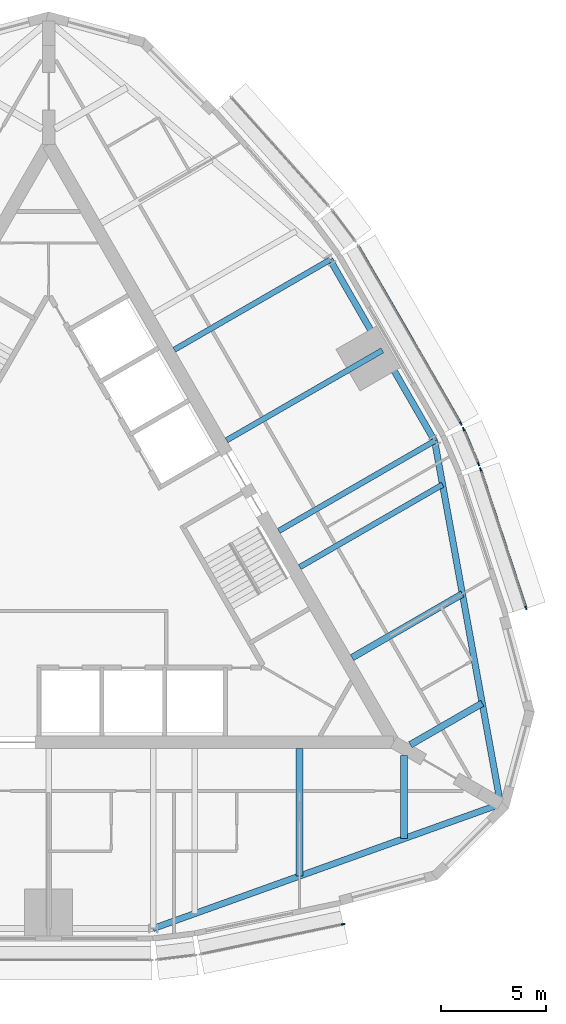
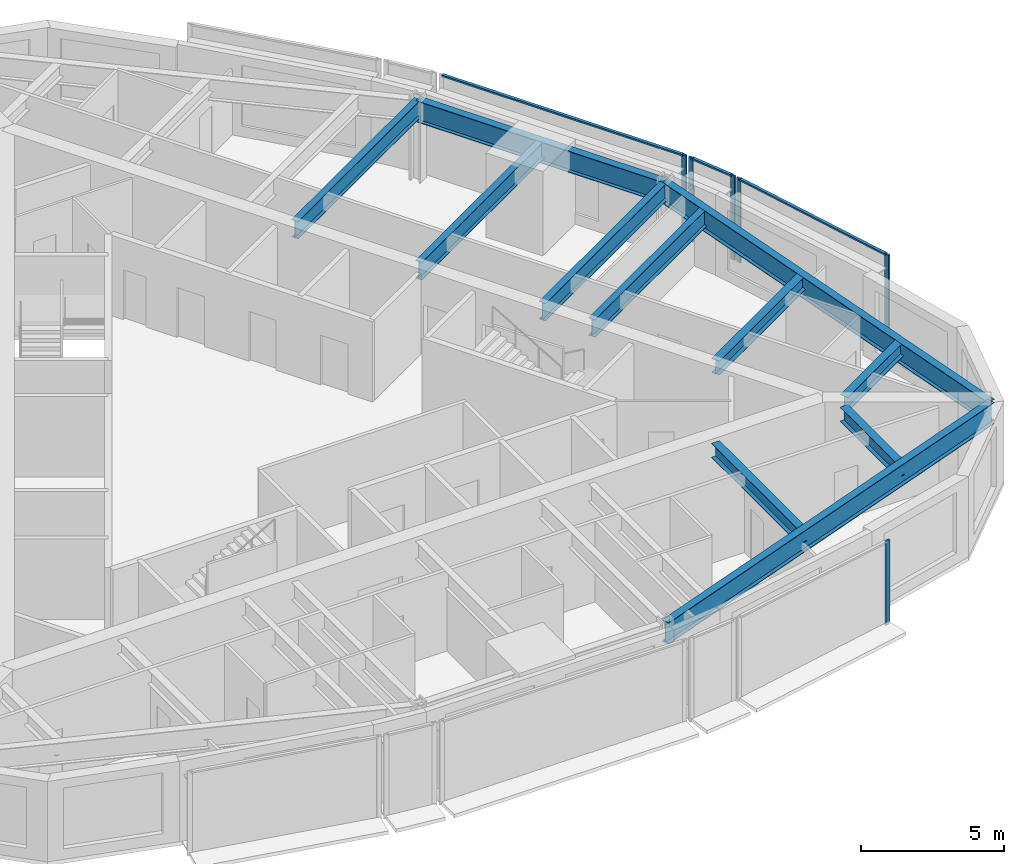
# One storey, part 4 of 12: 11 beams, 9 members, 4 elements without a shape of their own.
"""IFC4 building model written with IfcOpenShell, lengths in metres."""

from ifc_helpers import new_model, si_unit, direction, frame, origin, origin_2d, place, context, subcontext, project, spatial, rectangle, i_section, extrude, material, material_profile, profile_set, type_object, element, aggregate, save


model = new_model("IFC4")

# Units and contexts
model_context = context("Model", 3, precision=1e-05, world=origin(), true_north=direction((0.0, 1.0)))
body_context = subcontext(model_context, "Body", "Model", "MODEL_VIEW")
ifc_project = project(units=[si_unit("LENGTHUNIT", "METRE"), si_unit("AREAUNIT", "SQUARE_METRE"), si_unit("VOLUMEUNIT", "CUBIC_METRE"), si_unit("PLANEANGLEUNIT", "RADIAN"), si_unit("MASSUNIT", "GRAM", prefix="KILO")], contexts=[model_context])

# Site, building, storey
site_placement = place(None, origin())
site = spatial("IfcSite", under=ifc_project, at=site_placement, CompositionType="ELEMENT")
building_placement = place(site_placement, origin())
building = spatial("IfcBuilding", under=site, at=building_placement, Name="Trikona Tower", CompositionType="ELEMENT")
storey_placement = place(building_placement, frame((0.0, 0.0, 260.89990234375)))
storey = spatial("IfcBuildingStorey", under=building, at=storey_placement, Name="L69", CompositionType="ELEMENT", Elevation=260.89990234375)

# Curtain wall, member
ifc_material_1 = material(Name="Aluminium curtain wall system", Category="aluminium")
curtain_wall_type = type_object("IfcCurtainWallType", Name="Curtain wall DS3", PredefinedType="NOTDEFINED", material=ifc_material_1)
curtain_wall_1_placement = place(storey_placement, origin())
curtain_wall_1 = element("IfcCurtainWall", 1, at=curtain_wall_1_placement, inside=storey, type_object=curtain_wall_type, Name="Curtain wall DS3 L69", PredefinedType="NOTDEFINED")
ifc_material_2 = material(Name="Aluminium mullion, pale anodised", Category="aluminium")
ifc_material_profile_1 = material_profile(ifc_material_2, rectangle(XDim=0.070068359375, YDim=0.179931640625, at=origin_2d()), Name="MUL-DS3")
ifc_profile_set_1 = profile_set([ifc_material_profile_1], Name="Aluminium mullion, pale anodised")
member_type_1 = type_object("IfcMemberType", Name="Mullion DS3 70x180", PredefinedType="MULLION", material=ifc_profile_set_1)
member_1_placement = place(storey_placement, frame((14.092041015625, -18.220703125, 0.0), z_axis=(0.0, 0.0, 1.0), x_axis=(-0.205527448396, 0.978651351583, 0.0)))
member_1 = element("IfcMember", 2, at=member_1_placement, type_object=member_type_1, Name="CW-DS3 mullion 2", PredefinedType="MULLION", context=body_context, shape_type="SweptSolid", body=[
    extrude(rectangle(XDim=0.070068359375, YDim=0.179931640625, at=origin_2d()), origin(), (0.0, 0.0, 1.0), 3.60009765625),
])
aggregate(curtain_wall_1, [member_1])

# Curtain wall, members
curtain_wall_2_placement = place(storey_placement, origin())
curtain_wall_2 = element("IfcCurtainWall", 3, at=curtain_wall_2_placement, inside=storey, type_object=curtain_wall_type, Name="Curtain wall DS3 L69", PredefinedType="NOTDEFINED")
member_2_placement = place(storey_placement, frame((22.82568359375, -3.09375, 0.0), z_axis=(0.0, 0.0, 1.0), x_axis=(-0.95029742275, -0.311343553515, 0.0)))
member_2 = element("IfcMember", 4, at=member_2_placement, type_object=member_type_1, Name="CW-DS3 mullion 1", PredefinedType="MULLION", context=body_context, shape_type="SweptSolid", body=[
    extrude(rectangle(XDim=0.070068359375, YDim=0.179931640625, at=origin_2d()), origin(), (0.0, 0.0, 1.0), 3.60009765625),
])
member_3_placement = place(storey_placement, frame((20.657958984375, 3.52294921875, 0.0), z_axis=(0.0, 0.0, 1.0), x_axis=(-0.95029742275, -0.311343553515, 0.0)))
member_3 = element("IfcMember", 5, at=member_3_placement, type_object=member_type_1, Name="CW-DS3 mullion 2", PredefinedType="MULLION", context=body_context, shape_type="SweptSolid", body=[
    extrude(rectangle(XDim=0.070068359375, YDim=0.179931640625, at=origin_2d()), origin(), (0.0, 0.0, 1.0), 3.60009765625),
])

curtain_wall_3_placement = place(storey_placement, origin())
curtain_wall_3 = element("IfcCurtainWall", 6, at=curtain_wall_3_placement, inside=storey, type_object=curtain_wall_type, Name="Curtain wall DS3 L69", PredefinedType="NOTDEFINED")
member_4_placement = place(storey_placement, frame((20.563232421875, 3.7744140625, 0.0), z_axis=(0.0, 0.0, 1.0), x_axis=(-0.919420580163, -0.393275726143, 0.0)))
member_4 = element("IfcMember", 7, at=member_4_placement, type_object=member_type_1, Name="CW-DS3 mullion 1", PredefinedType="MULLION", context=body_context, shape_type="SweptSolid", body=[
    extrude(rectangle(XDim=0.070068359375, YDim=0.179931640625, at=origin_2d()), origin(), (0.0, 0.0, 1.0), 3.60009765625),
])
member_5_placement = place(storey_placement, frame((19.845703125, 5.45166015625, 0.0), z_axis=(0.0, 0.0, 1.0), x_axis=(-0.919420580163, -0.393275726143, 0.0)))
member_5 = element("IfcMember", 8, at=member_5_placement, type_object=member_type_1, Name="CW-DS3 mullion 2", PredefinedType="MULLION", context=body_context, shape_type="SweptSolid", body=[
    extrude(rectangle(XDim=0.070068359375, YDim=0.179931640625, at=origin_2d()), origin(), (0.0, 0.0, 1.0), 3.60009765625),
])

# Curtain wall, member
curtain_wall_4_placement = place(storey_placement, origin())
curtain_wall_4 = element("IfcCurtainWall", 9, at=curtain_wall_4_placement, inside=storey, type_object=curtain_wall_type, Name="Curtain wall DS3 L69", PredefinedType="NOTDEFINED")
member_6_placement = place(storey_placement, frame((19.712890625, 5.717529296875, 0.0), z_axis=(0.0, 0.0, 1.0), x_axis=(-0.866024619633, -0.500001358187, 0.0)))
member_6 = element("IfcMember", 10, at=member_6_placement, type_object=member_type_1, Name="CW-DS3 mullion 1", PredefinedType="MULLION", context=body_context, shape_type="SweptSolid", body=[
    extrude(rectangle(XDim=0.070068359375, YDim=0.179931640625, at=origin_2d()), origin(), (0.0, 0.0, 1.0), 3.60009765625),
])

# Beams
ifc_material_3 = material(Name="Steel ASTM A992 Grade 50", Category="steel")
ifc_material_profile_2 = material_profile(ifc_material_3, i_section(OverallWidth=0.3251953125, OverallDepth=0.612060546875, WebThickness=0.0126953125, FlangeThickness=0.01904296875, at=origin_2d()), Name="W24X104")
ifc_profile_set_2 = profile_set([ifc_material_profile_2], Name="Steel ASTM A992 Grade 50")
beam_type_1 = type_object("IfcBeamType", Name="Steel beam W24x104 (wedge upper)", PredefinedType="BEAM", material=ifc_profile_set_2)
beam_1_placement = place(storey_placement, frame((12.0, -9.826416015625, 3.12890625), z_axis=(0.0, -1.0, 0.0), x_axis=(1.0, 0.0, 0.0)))
element("IfcBeam", 11, at=beam_1_placement, inside=storey, type_object=beam_type_1, Name="Floor beam L70 F1 u12", PredefinedType="BEAM", context=body_context, shape_type="SweptSolid", body=[
    extrude(i_section(OverallWidth=0.3251953125, OverallDepth=0.612060546875, WebThickness=0.0126953125, FlangeThickness=0.01904296875, at=origin_2d()), origin(), (0.0, 0.0, 1.0), 6.094970703125),
])
for number, where, z_axis, x_axis, name in (
    (12, (17.0, -10.161376953125, 3.12890625), (0.0, -1.0, 0.0), (1.0, 0.0, 0.0), "Floor beam L70 F1 u17"),
    (13, (17.300048828125, -9.6416015625, 3.12890625), (0.866030866614, 0.499990537983, 0.0), (-0.499990537983, 0.866030866614, 0.0), "Floor beam L70 F2 u-17"),
):
    element("IfcBeam", number, at=place(storey_placement, frame(where, z_axis=z_axis, x_axis=x_axis)), inside=storey, type_object=beam_type_1, Name=name, PredefinedType="BEAM", context=body_context, shape_type="SweptSolid", body=[
        extrude(i_section(OverallWidth=0.3251953125, OverallDepth=0.612060546875, WebThickness=0.0126953125, FlangeThickness=0.01904296875, at=origin_2d()), origin(), (0.0, 0.0, 1.0), 3.9677734375),
    ])
beam_2_placement = place(storey_placement, frame((14.509765625, -5.479248046875, 3.12890625), z_axis=(0.866023498866, 0.500003299401, 0.0), x_axis=(-0.500003299401, 0.866023498866, 0.0)))
element("IfcBeam", 14, at=beam_2_placement, inside=storey, type_object=beam_type_1, Name="Floor beam L70 F2 u-12", PredefinedType="BEAM", context=body_context, shape_type="SweptSolid", body=[
    extrude(i_section(OverallWidth=0.3251953125, OverallDepth=0.612060546875, WebThickness=0.0126953125, FlangeThickness=0.01904296875, at=origin_2d()), origin(), (0.0, 0.0, 1.0), 6.09521484375),
])
ifc_material_4 = material(Name="Steel ASTM A992 Grade 50", Category="steel")
ifc_material_profile_3 = material_profile(ifc_material_4, i_section(OverallWidth=0.2666015625, OverallDepth=0.7568359375, WebThickness=0.013916015625, FlangeThickness=0.019287109375, at=origin_2d()), Name="W30X108")
ifc_profile_set_3 = profile_set([ifc_material_profile_3], Name="Steel ASTM A992 Grade 50")
beam_type_2 = type_object("IfcBeamType", Name="Steel beam W30x108 (radial upper)", PredefinedType="BEAM", material=ifc_profile_set_3)
beam_3_placement = place(storey_placement, frame((12.009765625, -1.14892578125, 3.056640625), z_axis=(0.866034560358, 0.499984140014, 0.0), x_axis=(-0.499984140014, 0.866034560358, 0.0)))
element("IfcBeam", 15, at=beam_3_placement, inside=storey, type_object=beam_type_2, Name="Floor beam L70 F2 u-7", PredefinedType="BEAM", context=body_context, shape_type="SweptSolid", body=[
    extrude(i_section(OverallWidth=0.2666015625, OverallDepth=0.7568359375, WebThickness=0.013916015625, FlangeThickness=0.019287109375, at=origin_2d()), origin(), (0.0, 0.0, 1.0), 7.887451171875),
])
beam_4_placement = place(storey_placement, frame((11.009765625, 0.5830078125, 3.056640625), z_axis=(0.866029182723, 0.49999345463, 0.0), x_axis=(-0.49999345463, 0.866029182723, 0.0)))
element("IfcBeam", 16, at=beam_4_placement, inside=storey, type_object=beam_type_2, Name="Floor beam L70 F2 u-5", PredefinedType="BEAM", context=body_context, shape_type="SweptSolid", body=[
    extrude(i_section(OverallWidth=0.2666015625, OverallDepth=0.7568359375, WebThickness=0.013916015625, FlangeThickness=0.019287109375, at=origin_2d()), origin(), (0.0, 0.0, 1.0), 8.60400390625),
])
beam_5_placement = place(storey_placement, frame((8.509765625, 4.9130859375, 3.056640625), z_axis=(0.866016896067, 0.50001473551, 0.0), x_axis=(-0.50001473551, 0.866016896067, 0.0)))
element("IfcBeam", 17, at=beam_5_placement, inside=storey, type_object=beam_type_2, Name="Floor beam L70 F2 u0", PredefinedType="BEAM", context=body_context, shape_type="SweptSolid", body=[
    extrude(i_section(OverallWidth=0.2666015625, OverallDepth=0.7568359375, WebThickness=0.013916015625, FlangeThickness=0.019287109375, at=origin_2d()), origin(), (0.0, 0.0, 1.0), 8.604248046875),
])
beam_6_placement = place(storey_placement, frame((6.009765625, 9.243408203125, 3.056640625), z_axis=(0.866029182723, 0.49999345463, 0.0), x_axis=(-0.49999345463, 0.866029182723, 0.0)))
element("IfcBeam", 18, at=beam_6_placement, inside=storey, type_object=beam_type_2, Name="Floor beam L70 F2 u5", PredefinedType="BEAM", context=body_context, shape_type="SweptSolid", body=[
    extrude(i_section(OverallWidth=0.2666015625, OverallDepth=0.7568359375, WebThickness=0.013916015625, FlangeThickness=0.019287109375, at=origin_2d()), origin(), (0.0, 0.0, 1.0), 8.60400390625),
])
ifc_material_5 = material(Name="Steel ASTM A992 Grade 50", Category="steel")
ifc_material_profile_4 = material_profile(ifc_material_5, i_section(OverallWidth=0.3046875, OverallDepth=0.911865234375, WebThickness=0.015869140625, FlangeThickness=0.02392578125, at=origin_2d()), Name="W36X150")
ifc_profile_set_4 = profile_set([ifc_material_profile_4], Name="Steel ASTM A992 Grade 50")
beam_type_3 = type_object("IfcBeamType", Name="Steel beam W36x150 (spandrel upper)", PredefinedType="SPANDREL", material=ifc_profile_set_4)
for number, where, z_axis, x_axis, name in (
    (19, (5.0, -18.430419921875, 2.979248046875), (0.941358144832, 0.337409014637, 0.0), (-0.337409014637, 0.941358144832, 0.0), "Spandrel beam L70 F1-3"),
    (20, (21.6103515625, -12.476806640625, 2.979248046875), (-0.178472662054, 0.983944870864, 0.0), (-0.983944870864, -0.178472662054, 0.0), "Spandrel beam L70 F2-1"),
):
    element("IfcBeam", number, at=place(storey_placement, frame(where, z_axis=z_axis, x_axis=x_axis)), inside=storey, type_object=beam_type_3, Name=name, PredefinedType="SPANDREL", context=body_context, shape_type="SweptSolid", body=[
        extrude(i_section(OverallWidth=0.3046875, OverallDepth=0.911865234375, WebThickness=0.015869140625, FlangeThickness=0.02392578125, at=origin_2d()), origin(), (0.0, 0.0, 1.0), 17.64501953125),
    ])
beam_7_placement = place(storey_placement, frame((18.461181640625, 4.885009765625, 2.979248046875), z_axis=(-0.499993662806, 0.866029062534, 0.0), x_axis=(-0.866029062534, -0.499993662806, 0.0)))
element("IfcBeam", 21, at=beam_7_placement, inside=storey, type_object=beam_type_3, Name="Spandrel beam L70 F2-2", PredefinedType="SPANDREL", context=body_context, shape_type="SweptSolid", body=[
    extrude(i_section(OverallWidth=0.3046875, OverallDepth=0.911865234375, WebThickness=0.015869140625, FlangeThickness=0.02392578125, at=origin_2d()), origin(), (0.0, 0.0, 1.0), 10.000244140625),
])

# Member
ifc_material_6 = material(Name="Aluminium transom, pale anodised", Category="aluminium")
ifc_material_profile_5 = material_profile(ifc_material_6, rectangle(XDim=0.1201171875, YDim=0.070068359375, at=origin_2d()), Name="TRN-DS3")
ifc_profile_set_5 = profile_set([ifc_material_profile_5], Name="Aluminium transom, pale anodised")
member_type_2 = type_object("IfcMemberType", Name="Transom DS3 70x120", PredefinedType="USERDEFINED", material=ifc_profile_set_5)
member_7_placement = place(storey_placement, frame((22.814697265625, -3.060302734375, 3.565185546875), z_axis=(-0.311346184, 0.950296560926, 0.0), x_axis=(-0.950296560926, -0.311346184, 0.0)))
member_7 = element("IfcMember", 22, at=member_7_placement, type_object=member_type_2, Name="CW-DS3 transom 1.1", ObjectType="TRANSOM", PredefinedType="USERDEFINED", context=body_context, shape_type="SweptSolid", body=[
    extrude(rectangle(XDim=0.1201171875, YDim=0.070068359375, at=origin_2d()), origin(), (0.0, 0.0, 1.0), 6.892578125),
])

aggregate(curtain_wall_2, [member_2, member_3, member_7])

member_8_placement = place(storey_placement, frame((20.549560546875, 3.806640625, 3.565185546875), z_axis=(-0.393314512783, 0.919403988481, 0.0), x_axis=(-0.919403988481, -0.393314512783, 0.0)))
member_8 = element("IfcMember", 23, at=member_8_placement, type_object=member_type_2, Name="CW-DS3 transom 1.1", ObjectType="TRANSOM", PredefinedType="USERDEFINED", context=body_context, shape_type="SweptSolid", body=[
    extrude(rectangle(XDim=0.1201171875, YDim=0.070068359375, at=origin_2d()), origin(), (0.0, 0.0, 1.0), 1.754150390625),
])

aggregate(curtain_wall_3, [member_4, member_5, member_8])

member_9_placement = place(storey_placement, frame((19.6953125, 5.747802734375, 3.565185546875), z_axis=(-0.500010305712, 0.866019453697, 0.0), x_axis=(-0.866019453697, -0.500010305712, 0.0)))
member_9 = element("IfcMember", 24, at=member_9_placement, type_object=member_type_2, Name="CW-DS3 transom 1.1", ObjectType="TRANSOM", PredefinedType="USERDEFINED", context=body_context, shape_type="SweptSolid", body=[
    extrude(rectangle(XDim=0.1201171875, YDim=0.070068359375, at=origin_2d()), origin(), (0.0, 0.0, 1.0), 9.739990234375),
])

aggregate(curtain_wall_4, [member_6, member_9])

save(model, "model.ifc")
